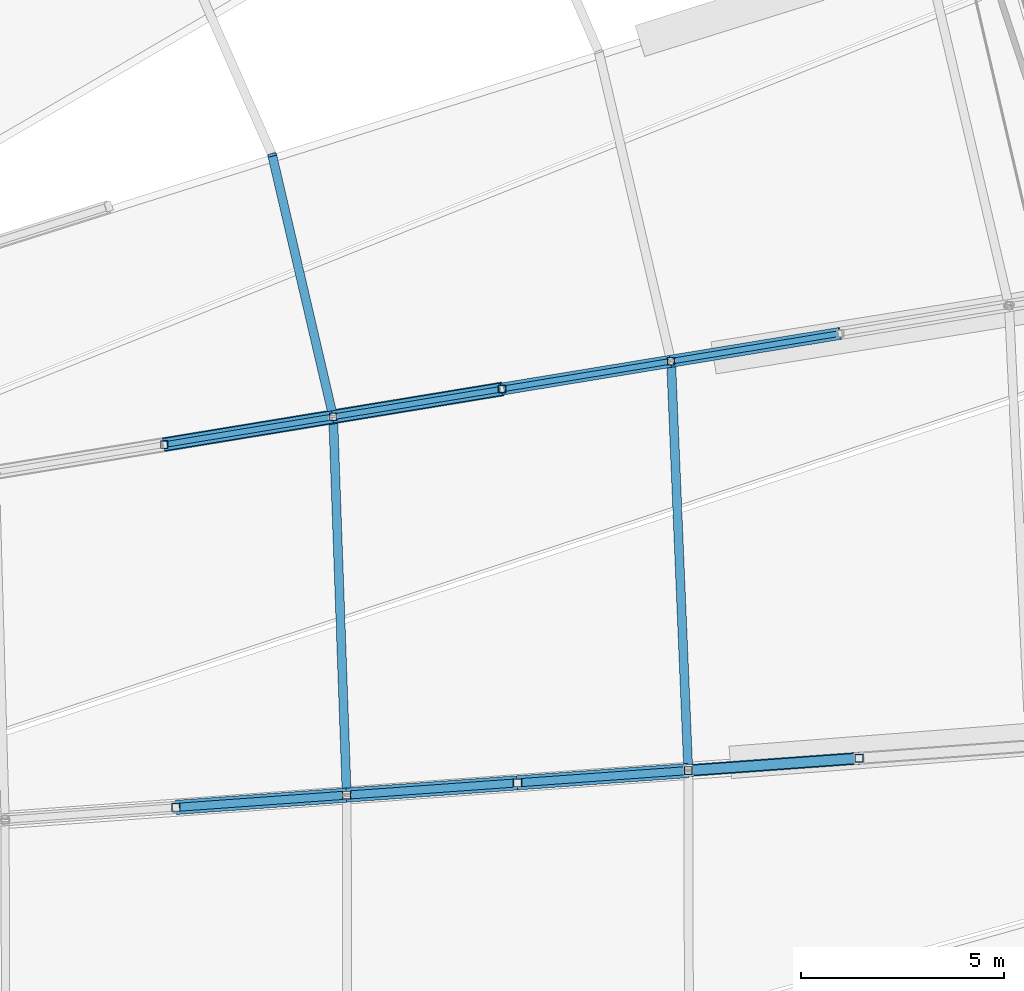
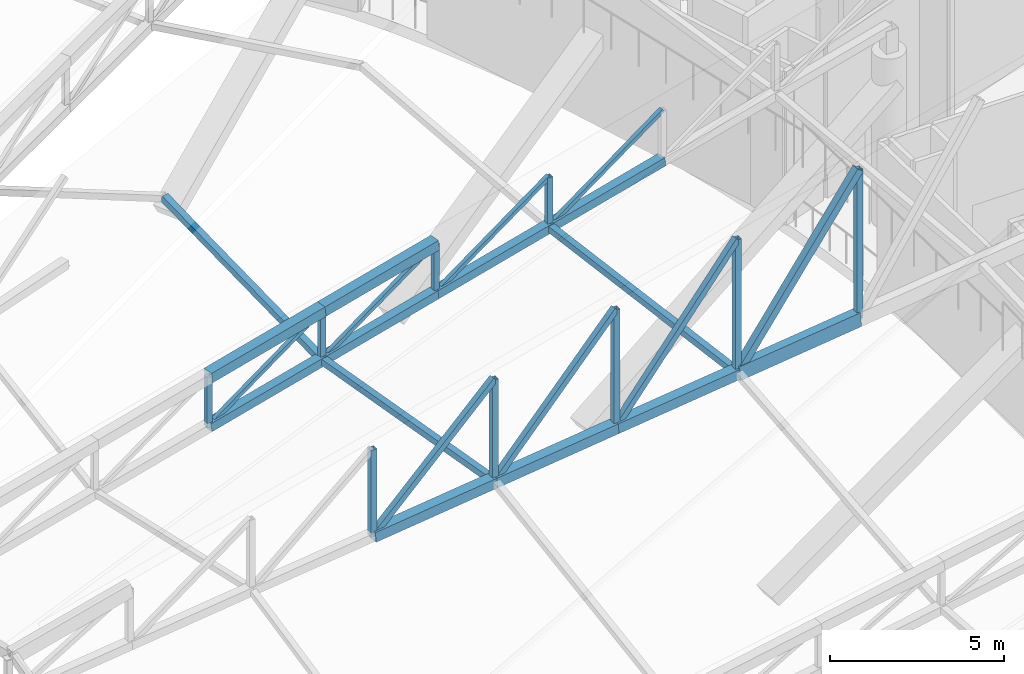
# One storey, part 181 of 344: 30 members.
"""IFC4 building model written with IfcOpenShell, lengths in metres."""

from ifc_helpers import new_model, si_unit, direction, frame, origin, origin_2d, place, context, subcontext, project, spatial, hollow_rectangle, extrude, material, material_profile, profile_set, type_object, element, save


model = new_model("IFC4")

# Units and contexts
model_context = context("Model", 3, precision=1e-05, world=origin(), true_north=direction((0.0, 1.0)))
body_context = subcontext(model_context, "Body", "Model", "MODEL_VIEW")
ifc_project = project(units=[si_unit("LENGTHUNIT", "METRE"), si_unit("AREAUNIT", "SQUARE_METRE"), si_unit("VOLUMEUNIT", "CUBIC_METRE"), si_unit("PLANEANGLEUNIT", "RADIAN"), si_unit("MASSUNIT", "GRAM", prefix="KILO")], contexts=[model_context])

# Site, building, storey
site_placement = place(None, origin())
site = spatial("IfcSite", under=ifc_project, at=site_placement, CompositionType="ELEMENT")
building_placement = place(site_placement, origin())
building = spatial("IfcBuilding", under=site, at=building_placement, Name="Meseta Stadium", CompositionType="ELEMENT")
storey_placement = place(building_placement, frame((0.0, 0.0, 24.0)))
storey = spatial("IfcBuildingStorey", under=building, at=storey_placement, Name="L04", CompositionType="ELEMENT", Elevation=24.0)

# Members
ifc_material_1 = material(Name="Steel S355", Category="steel")
ifc_material_profile_1 = material_profile(ifc_material_1, hollow_rectangle(XDim=0.300048828125, YDim=0.5, WallThickness=0.01611328125, at=origin_2d()), Name="RHS 500x300x16")
ifc_profile_set_1 = profile_set([ifc_material_profile_1], Name="Steel S355")
member_type_1 = type_object("IfcMemberType", Name="RHS 500x300x16 bottom chord", PredefinedType="CHORD", material=ifc_profile_set_1)
member_1_placement = place(storey_placement, frame((72.25, 41.65234375, 6.268798828125), z_axis=(0.995643583607, 0.07168633802, 0.059623178079), x_axis=(-0.071814098474, 0.997418034357, 0.0)))
element("IfcMember", 1, at=member_1_placement, inside=storey, type_object=member_type_1, Name="ROOF TRUSS RT-08 bottom chord", PredefinedType="CHORD", context=body_context, shape_type="SweptSolid", body=[
    extrude(hollow_rectangle(XDim=0.300048828125, YDim=0.5, WallThickness=0.01611328125, at=origin_2d()), origin(), (0.0, 0.0, 1.0), 4.229736328125),
])
ifc_material_2 = material(Name="Steel S355", Category="steel")
ifc_material_profile_2 = material_profile(ifc_material_2, hollow_rectangle(XDim=0.139892578125, YDim=0.139892578125, WallThickness=0.0048828125, at=origin_2d()), Name="SHS 140x140x5")
ifc_profile_set_2 = profile_set([ifc_material_profile_2], Name="Steel S355")
member_type_2 = type_object("IfcMemberType", Name="SHS 140x140x5 diagonal", PredefinedType="BRACE", material=ifc_profile_set_2)
member_2_placement = place(storey_placement, frame((59.327880859375, 49.689453125, 4.023193359375), z_axis=(0.873418924065, 0.143667560495, 0.465294546655), x_axis=(-0.162307632911, 0.986740205069, 0.0)))
element("IfcMember", 2, at=member_2_placement, inside=storey, type_object=member_type_2, Name="ROOF TRUSS RT-09 diagonal", PredefinedType="BRACE", context=body_context, shape_type="SweptSolid", body=[
    extrude(hollow_rectangle(XDim=0.139892578125, YDim=0.139892578125, WallThickness=0.0048828125, at=origin_2d()), origin(), (0.0, 0.0, 1.0), 4.77001953125),
])
for number, where, z_axis, x_axis, name in (
    (3, (63.494140625, 50.374755859375, 4.48583984375), (0.873391700476, 0.143714262815, 0.465331224186), (-0.162363931313, 0.986730942967, 0.0), "ROOF TRUSS RT-09 diagonal"),
    (4, (67.660400390625, 51.060302734375, 4.94873046875), (0.873398123495, 0.143664139036, 0.465334646283), (-0.162307632911, 0.986740205069, 0.0), "ROOF TRUSS RT-09 diagonal"),
):
    element("IfcMember", number, at=place(storey_placement, frame(where, z_axis=z_axis, x_axis=x_axis)), inside=storey, type_object=member_type_2, Name=name, PredefinedType="BRACE", context=body_context, shape_type="SweptSolid", body=[
        extrude(hollow_rectangle(XDim=0.139892578125, YDim=0.139892578125, WallThickness=0.0048828125, at=origin_2d()), origin(), (0.0, 0.0, 1.0), 4.770263671875),
    ])
member_3_placement = place(storey_placement, frame((71.82666015625, 51.74560546875, 5.41162109375), z_axis=(0.873406786009, 0.143673983142, 0.46531534761), x_axis=(-0.162316894015, 0.986738681677, 0.0)))
element("IfcMember", 5, at=member_3_placement, inside=storey, type_object=member_type_2, Name="ROOF TRUSS RT-09 diagonal", PredefinedType="BRACE", context=body_context, shape_type="SweptSolid", body=[
    extrude(hollow_rectangle(XDim=0.139892578125, YDim=0.139892578125, WallThickness=0.0048828125, at=origin_2d()), origin(), (0.0, 0.0, 1.0), 4.769775390625),
])
ifc_material_3 = material(Name="Steel S355", Category="steel")
ifc_material_profile_3 = material_profile(ifc_material_3, hollow_rectangle(XDim=0.179931640625, YDim=0.179931640625, WallThickness=0.00634765625, at=origin_2d()), Name="SHS 180x180x6.3")
ifc_profile_set_3 = profile_set([ifc_material_profile_3], Name="Steel S355")
member_type_3 = type_object("IfcMemberType", Name="SHS 180x180x6.3 post", PredefinedType="POST", material=ifc_profile_set_3)
for number, where, z_axis, x_axis, name in (
    (6, (59.327880859375, 49.689453125, 4.023193359375), (0.0, 0.0, 1.0), (1.0, 0.0, 0.0), "ROOF TRUSS RT-09 post"),
    (7, (63.494140625, 50.374755859375, 4.48583984375), (0.0, 0.0, 1.0), (1.0, 0.0, 0.0), "ROOF TRUSS RT-09 post"),
    (8, (67.660400390625, 51.060302734375, 4.94873046875), (0.0, 0.0, 1.0), (1.0, 0.0, 0.0), "ROOF TRUSS RT-09 post"),
    (9, (71.82666015625, 51.74560546875, 5.41162109375), (0.0, 0.0, 1.0), (1.0, 0.0, 0.0), "ROOF TRUSS RT-09 post"),
):
    element("IfcMember", number, at=place(storey_placement, frame(where, z_axis=z_axis, x_axis=x_axis)), inside=storey, type_object=member_type_3, Name=name, PredefinedType="POST", context=body_context, shape_type="SweptSolid", body=[
        extrude(hollow_rectangle(XDim=0.179931640625, YDim=0.179931640625, WallThickness=0.00634765625, at=origin_2d()), origin(), (0.0, 0.0, 1.0), 1.7568359375),
    ])
ifc_material_4 = material(Name="Steel S355", Category="steel")
ifc_material_profile_4 = material_profile(ifc_material_4, hollow_rectangle(XDim=0.199951171875, YDim=0.199951171875, WallThickness=0.008056640625, at=origin_2d()), Name="SHS 200x200x8")
ifc_profile_set_4 = profile_set([ifc_material_profile_4], Name="Steel S355")
member_type_4 = type_object("IfcMemberType", Name="SHS 200x200x8 diagonal", PredefinedType="BRACE", material=ifc_profile_set_4)
member_4_placement = place(storey_placement, frame((59.6162109375, 40.743408203125, 5.512451171875), z_axis=(0.737487925906, 0.053056377742, 0.673273035198), x_axis=(-0.07175657498, 0.997422174381, 0.0)))
element("IfcMember", 10, at=member_4_placement, inside=storey, type_object=member_type_4, Name="ROOF TRUSS RT-08 diagonal", PredefinedType="BRACE", context=body_context, shape_type="SweptSolid", body=[
    extrude(hollow_rectangle(XDim=0.199951171875, YDim=0.199951171875, WallThickness=0.008056640625, at=origin_2d()), origin(), (0.0, 0.0, 1.0), 5.71044921875),
])
member_5_placement = place(storey_placement, frame((63.82763671875, 41.04638671875, 5.7646484375), z_axis=(0.691168594021, 0.049726953747, 0.720980724229), x_axis=(-0.071760713601, 0.997421876632, 0.0)))
element("IfcMember", 11, at=member_5_placement, inside=storey, type_object=member_type_4, Name="ROOF TRUSS RT-08 diagonal", PredefinedType="BRACE", context=body_context, shape_type="SweptSolid", body=[
    extrude(hollow_rectangle(XDim=0.199951171875, YDim=0.199951171875, WallThickness=0.008056640625, at=origin_2d()), origin(), (0.0, 0.0, 1.0), 6.0927734375),
])
member_6_placement = place(storey_placement, frame((68.038818359375, 41.349365234375, 6.016845703125), z_axis=(0.647962157114, 0.046618414805, 0.760244543781), x_axis=(-0.071760713601, 0.997421876632, 0.0)))
element("IfcMember", 12, at=member_6_placement, inside=storey, type_object=member_type_4, Name="ROOF TRUSS RT-08 diagonal", PredefinedType="BRACE", context=body_context, shape_type="SweptSolid", body=[
    extrude(hollow_rectangle(XDim=0.199951171875, YDim=0.199951171875, WallThickness=0.008056640625, at=origin_2d()), origin(), (0.0, 0.0, 1.0), 6.4990234375),
])
ifc_material_5 = material(Name="Steel S355", Category="steel")
ifc_material_profile_5 = material_profile(ifc_material_5, hollow_rectangle(XDim=0.199951171875, YDim=0.199951171875, WallThickness=0.008056640625, at=origin_2d()), Name="SHS 200x200x8")
ifc_profile_set_5 = profile_set([ifc_material_profile_5], Name="Steel S355")
member_type_5 = type_object("IfcMemberType", Name="SHS 200x200x8 post", PredefinedType="POST", material=ifc_profile_set_5)
member_7_placement = place(storey_placement, frame((59.6162109375, 40.743408203125, 5.512451171875), z_axis=(0.0, 0.0, 1.0), x_axis=(1.0, 0.0, 0.0)))
element("IfcMember", 13, at=member_7_placement, inside=storey, type_object=member_type_5, Name="ROOF TRUSS RT-08 post", PredefinedType="POST", context=body_context, shape_type="SweptSolid", body=[
    extrude(hollow_rectangle(XDim=0.199951171875, YDim=0.199951171875, WallThickness=0.008056640625, at=origin_2d()), origin(), (0.0, 0.0, 1.0), 3.04443359375),
])
member_8_placement = place(storey_placement, frame((63.82763671875, 41.04638671875, 5.7646484375), z_axis=(0.0, 0.0, 1.0), x_axis=(1.0, 0.0, 0.0)))
element("IfcMember", 14, at=member_8_placement, inside=storey, type_object=member_type_5, Name="ROOF TRUSS RT-08 post", PredefinedType="POST", context=body_context, shape_type="SweptSolid", body=[
    extrude(hollow_rectangle(XDim=0.199951171875, YDim=0.199951171875, WallThickness=0.008056640625, at=origin_2d()), origin(), (0.0, 0.0, 1.0), 3.592529296875),
])
member_9_placement = place(storey_placement, frame((68.038818359375, 41.349365234375, 6.016845703125), z_axis=(0.0, 0.0, 1.0), x_axis=(1.0, 0.0, 0.0)))
element("IfcMember", 15, at=member_9_placement, inside=storey, type_object=member_type_5, Name="ROOF TRUSS RT-08 post", PredefinedType="POST", context=body_context, shape_type="SweptSolid", body=[
    extrude(hollow_rectangle(XDim=0.199951171875, YDim=0.199951171875, WallThickness=0.008056640625, at=origin_2d()), origin(), (0.0, 0.0, 1.0), 4.140625),
])
member_10_placement = place(storey_placement, frame((72.25, 41.65234375, 6.268798828125), z_axis=(0.0, 0.0, 1.0), x_axis=(1.0, 0.0, 0.0)))
element("IfcMember", 16, at=member_10_placement, inside=storey, type_object=member_type_5, Name="ROOF TRUSS RT-08 post", PredefinedType="POST", context=body_context, shape_type="SweptSolid", body=[
    extrude(hollow_rectangle(XDim=0.199951171875, YDim=0.199951171875, WallThickness=0.008056640625, at=origin_2d()), origin(), (0.0, 0.0, 1.0), 4.68896484375),
])
member_11_placement = place(storey_placement, frame((76.46142578125, 41.95556640625, 6.52099609375), z_axis=(0.0, 0.0, 1.0), x_axis=(1.0, 0.0, 0.0)))
element("IfcMember", 17, at=member_11_placement, inside=storey, type_object=member_type_5, Name="ROOF TRUSS RT-08 post", PredefinedType="POST", context=body_context, shape_type="SweptSolid", body=[
    extrude(hollow_rectangle(XDim=0.199951171875, YDim=0.199951171875, WallThickness=0.008056640625, at=origin_2d()), origin(), (0.0, 0.0, 1.0), 5.237060546875),
])
ifc_material_6 = material(Name="Steel S355", Category="steel")
ifc_material_profile_6 = material_profile(ifc_material_6, hollow_rectangle(XDim=0.219970703125, YDim=0.219970703125, WallThickness=0.008056640625, at=origin_2d()), Name="SHS 220x220x8")
ifc_profile_set_6 = profile_set([ifc_material_profile_6], Name="Steel S355")
member_type_6 = type_object("IfcMemberType", Name="SHS 220x220x8 strut", PredefinedType="STRUT", material=ifc_profile_set_6)
member_12_placement = place(storey_placement, frame((63.82763671875, 41.04638671875, 5.7646484375), z_axis=(-0.035397270136, 0.990112953609, -0.135732723992), x_axis=(-0.999361554258, -0.035727914447, 0.0)))
element("IfcMember", 18, at=member_12_placement, inside=storey, type_object=member_type_6, Name="ROOF TRUSS STRUT RT-08/09", PredefinedType="STRUT", context=body_context, shape_type="SweptSolid", body=[
    extrude(hollow_rectangle(XDim=0.219970703125, YDim=0.219970703125, WallThickness=0.008056640625, at=origin_2d()), origin(), (0.0, 0.0, 1.0), 9.421630859375),
])
member_13_placement = place(storey_placement, frame((72.25, 41.65234375, 6.268798828125), z_axis=(-0.041755928322, 0.995544168791, -0.084547326608), x_axis=(-0.999121558836, -0.041905974143, 0.0)))
element("IfcMember", 19, at=member_13_placement, inside=storey, type_object=member_type_6, Name="ROOF TRUSS STRUT RT-08/09", PredefinedType="STRUT", context=body_context, shape_type="SweptSolid", body=[
    extrude(hollow_rectangle(XDim=0.219970703125, YDim=0.219970703125, WallThickness=0.008056640625, at=origin_2d()), origin(), (0.0, 0.0, 1.0), 10.138427734375),
])
member_14_placement = place(storey_placement, frame((63.494140625, 50.374755859375, 4.48583984375), z_axis=(-0.214482102393, 0.920217601301, 0.327409520339), x_axis=(-0.973896295758, -0.226993403225, 0.0)))
element("IfcMember", 20, at=member_14_placement, inside=storey, type_object=member_type_6, Name="ROOF TRUSS STRUT RT-09/10", PredefinedType="STRUT", context=body_context, shape_type="SweptSolid", body=[
    extrude(hollow_rectangle(XDim=0.219970703125, YDim=0.219970703125, WallThickness=0.008056640625, at=origin_2d()), origin(), (0.0, 0.0, 1.0), 7.019775390625),
])
ifc_material_7 = material(Name="Steel S355", Category="steel")
ifc_material_profile_7 = material_profile(ifc_material_7, hollow_rectangle(XDim=0.25, YDim=0.25, WallThickness=0.010009765625, at=origin_2d()), Name="SHS 250x250x10")
ifc_profile_set_7 = profile_set([ifc_material_profile_7], Name="Steel S355")
member_type_7 = type_object("IfcMemberType", Name="SHS 250x250x10 diagonal", PredefinedType="BRACE", material=ifc_profile_set_7)
member_15_placement = place(storey_placement, frame((72.25, 41.65234375, 6.268798828125), z_axis=(0.608120373067, 0.043784666861, 0.79263643293), x_axis=(-0.071814098474, 0.997418034357, 0.0)))
element("IfcMember", 21, at=member_15_placement, inside=storey, type_object=member_type_7, Name="ROOF TRUSS RT-08 diagonal", PredefinedType="BRACE", context=body_context, shape_type="SweptSolid", body=[
    extrude(hollow_rectangle(XDim=0.25, YDim=0.25, WallThickness=0.010009765625, at=origin_2d()), origin(), (0.0, 0.0, 1.0), 6.92529296875),
])
ifc_material_8 = material(Name="Steel S355", Category="steel")
ifc_material_profile_8 = material_profile(ifc_material_8, hollow_rectangle(XDim=0.300048828125, YDim=0.300048828125, WallThickness=0.010009765625, at=origin_2d()), Name="SHS 300x300x10")
ifc_profile_set_8 = profile_set([ifc_material_profile_8], Name="Steel S355")
member_type_8 = type_object("IfcMemberType", Name="SHS 300x300x10 bottom chord", PredefinedType="CHORD", material=ifc_profile_set_8)
for number, where, z_axis, x_axis, name in (
    (22, (59.327880859375, 49.689453125, 4.023193359375), (0.980869436585, 0.16134195772, 0.10892162803), (-0.162307632911, 0.986740205069, 0.0), "ROOF TRUSS RT-09 bottom chord"),
    (23, (63.494140625, 50.374755859375, 4.48583984375), (0.980854196553, 0.161396928445, 0.108977413224), (-0.162363931313, 0.986730942967, 0.0), "ROOF TRUSS RT-09 bottom chord"),
    (24, (67.660400390625, 51.060302734375, 4.94873046875), (0.980863294148, 0.161340947358, 0.108978424008), (-0.162307632911, 0.986740205069, 0.0), "ROOF TRUSS RT-09 bottom chord"),
):
    element("IfcMember", number, at=place(storey_placement, frame(where, z_axis=z_axis, x_axis=x_axis)), inside=storey, type_object=member_type_8, Name=name, PredefinedType="CHORD", context=body_context, shape_type="SweptSolid", body=[
        extrude(hollow_rectangle(XDim=0.300048828125, YDim=0.300048828125, WallThickness=0.010009765625, at=origin_2d()), origin(), (0.0, 0.0, 1.0), 4.24755859375),
    ])
member_16_placement = place(storey_placement, frame((71.82666015625, 51.74560546875, 5.41162109375), z_axis=(0.980867258247, 0.161351054495, 0.108927769244), x_axis=(-0.162316894015, 0.986738681677, 0.0)))
element("IfcMember", 25, at=member_16_placement, inside=storey, type_object=member_type_8, Name="ROOF TRUSS RT-09 bottom chord", PredefinedType="CHORD", context=body_context, shape_type="SweptSolid", body=[
    extrude(hollow_rectangle(XDim=0.300048828125, YDim=0.300048828125, WallThickness=0.010009765625, at=origin_2d()), origin(), (0.0, 0.0, 1.0), 4.247314453125),
])
ifc_material_9 = material(Name="Steel S355", Category="steel")
ifc_material_profile_9 = material_profile(ifc_material_9, hollow_rectangle(XDim=0.35009765625, YDim=0.35009765625, WallThickness=0.010009765625, at=origin_2d()), Name="SHS 350x350x10")
ifc_profile_set_9 = profile_set([ifc_material_profile_9], Name="Steel S355")
member_type_9 = type_object("IfcMemberType", Name="SHS 350x350x10 top chord", PredefinedType="CHORD", material=ifc_profile_set_9)
for number, where, z_axis, x_axis, name in (
    (26, (59.327880859375, 49.689453125, 5.780029296875), (0.980869436585, 0.16134195772, 0.10892162803), (-0.162307632911, 0.986740205069, 0.0), "ROOF TRUSS RT-09 top chord"),
    (27, (63.494140625, 50.374755859375, 6.24267578125), (0.980854196553, 0.161396928445, 0.108977413224), (-0.162363931313, 0.986730942967, 0.0), "ROOF TRUSS RT-09 top chord"),
):
    element("IfcMember", number, at=place(storey_placement, frame(where, z_axis=z_axis, x_axis=x_axis)), inside=storey, type_object=member_type_9, Name=name, PredefinedType="CHORD", context=body_context, shape_type="SweptSolid", body=[
        extrude(hollow_rectangle(XDim=0.35009765625, YDim=0.35009765625, WallThickness=0.010009765625, at=origin_2d()), origin(), (0.0, 0.0, 1.0), 4.24755859375),
    ])
ifc_material_10 = material(Name="Steel S355", Category="steel")
ifc_material_profile_10 = material_profile(ifc_material_10, hollow_rectangle(XDim=0.35009765625, YDim=0.35009765625, WallThickness=0.01416015625, at=origin_2d()), Name="SHS 350x350x14.2")
ifc_profile_set_10 = profile_set([ifc_material_profile_10], Name="Steel S355")
member_type_10 = type_object("IfcMemberType", Name="SHS 350x350x14.2 bottom chord", PredefinedType="CHORD", material=ifc_profile_set_10)
member_17_placement = place(storey_placement, frame((59.6162109375, 40.743408203125, 5.512451171875), z_axis=(0.995647701574, 0.071628915806, 0.05962342468), x_axis=(-0.07175657498, 0.997422174381, 0.0)))
element("IfcMember", 28, at=member_17_placement, inside=storey, type_object=member_type_10, Name="ROOF TRUSS RT-08 bottom chord", PredefinedType="CHORD", context=body_context, shape_type="SweptSolid", body=[
    extrude(hollow_rectangle(XDim=0.35009765625, YDim=0.35009765625, WallThickness=0.01416015625, at=origin_2d()), origin(), (0.0, 0.0, 1.0), 4.229736328125),
])
for number, where, z_axis, x_axis, name in (
    (29, (63.82763671875, 41.04638671875, 5.7646484375), (0.995647200206, 0.071633032376, 0.059626851285), (-0.071760713601, 0.997421876632, 0.0), "ROOF TRUSS RT-08 bottom chord"),
    (30, (68.038818359375, 41.349365234375, 6.016845703125), (0.995650625366, 0.071633278803, 0.059569334186), (-0.071760713601, 0.997421876632, 0.0), "ROOF TRUSS RT-08 bottom chord"),
):
    element("IfcMember", number, at=place(storey_placement, frame(where, z_axis=z_axis, x_axis=x_axis)), inside=storey, type_object=member_type_10, Name=name, PredefinedType="CHORD", context=body_context, shape_type="SweptSolid", body=[
        extrude(hollow_rectangle(XDim=0.35009765625, YDim=0.35009765625, WallThickness=0.01416015625, at=origin_2d()), origin(), (0.0, 0.0, 1.0), 4.2294921875),
    ])

save(model, "model.ifc")
